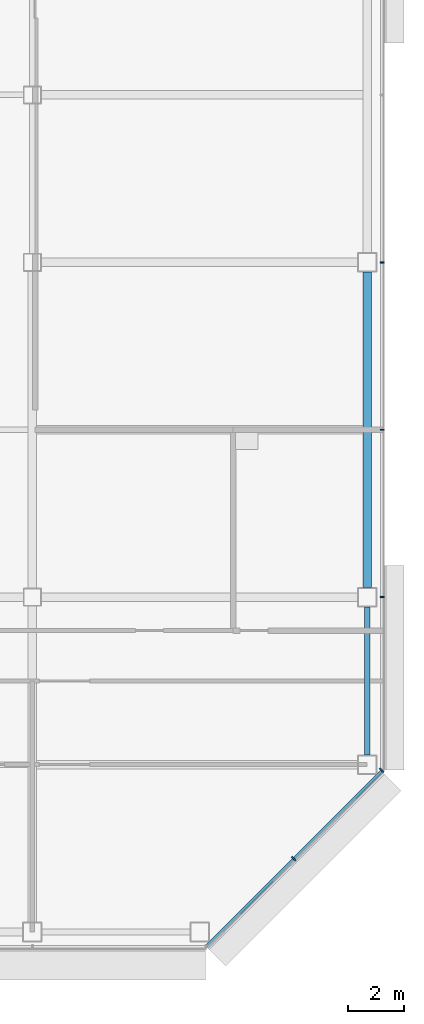
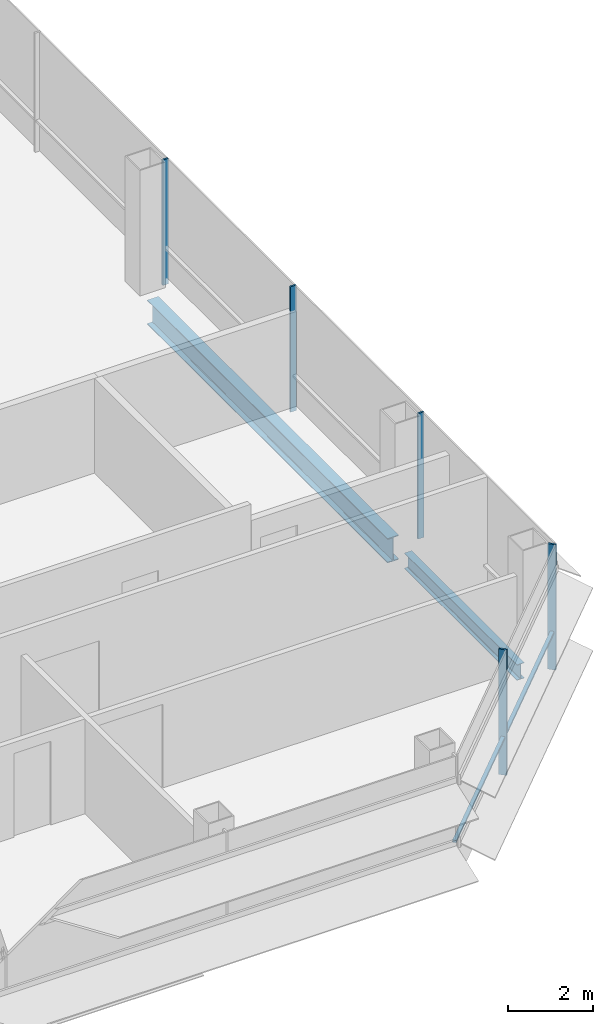
# One storey, part 15 of 24: 6 members, 2 beams, 2 elements without a shape of their own.
"""IFC4 building model written with IfcOpenShell, lengths in metres."""

from ifc_helpers import new_model, si_unit, direction, frame, origin, origin_2d, place, context, subcontext, project, spatial, rectangle, i_section, extrude, material, material_profile, profile_set, type_object, element, aggregate, save


model = new_model("IFC4")

# Units and contexts
model_context = context("Model", 3, precision=1e-05, world=origin(), true_north=direction((0.0, 1.0)))
body_context = subcontext(model_context, "Body", "Model", "MODEL_VIEW")
ifc_project = project(units=[si_unit("LENGTHUNIT", "METRE"), si_unit("AREAUNIT", "SQUARE_METRE"), si_unit("VOLUMEUNIT", "CUBIC_METRE"), si_unit("PLANEANGLEUNIT", "RADIAN"), si_unit("MASSUNIT", "GRAM", prefix="KILO")], contexts=[model_context])

# Site, building, storey
site_placement = place(None, origin())
site = spatial("IfcSite", under=ifc_project, at=site_placement, CompositionType="ELEMENT")
building_placement = place(site_placement, origin())
building = spatial("IfcBuilding", under=site, at=building_placement, Name="Sorahane Residences", CompositionType="ELEMENT")
storey_placement = place(building_placement, frame((0.0, 0.0, 170.800048828125)))
storey = spatial("IfcBuildingStorey", under=building, at=storey_placement, Name="L39", CompositionType="ELEMENT", Elevation=170.800048828125)

# Curtain wall, members
ifc_material_1 = material(Name="Dark low-e glass and black anodised aluminium", Category="aluminium")
curtain_wall_type_1 = type_object("IfcCurtainWallType", Name="Curtain wall CW-1 Typical unitised wall", PredefinedType="NOTDEFINED", material=ifc_material_1)
curtain_wall_1_placement = place(storey_placement, origin())
curtain_wall_1 = element("IfcCurtainWall", 1, at=curtain_wall_1_placement, inside=storey, type_object=curtain_wall_type_1, Name="CW-1 curtain wall L39 E1", PredefinedType="NOTDEFINED")
ifc_material_2 = material(Name="Black anodised aluminium", Category="aluminium")
ifc_material_profile_1 = material_profile(ifc_material_2, rectangle(XDim=0.159912109375, YDim=0.050048828125, at=origin_2d()), Name="Curtain wall mullion CW-1 black anodised aluminium 50x160")
ifc_profile_set_1 = profile_set([ifc_material_profile_1], Name="Black anodised aluminium")
member_type_1 = type_object("IfcMemberType", Name="Curtain wall mullion CW-1 black anodised aluminium 50x160", PredefinedType="MULLION", material=ifc_profile_set_1)
member_1_placement = place(storey_placement, frame((60.5400390625, 12.0, -0.179931640625), z_axis=(0.0, 0.0, 1.0), x_axis=(1.0, 0.0, 0.0)))
member_1 = element("IfcMember", 2, at=member_1_placement, type_object=member_type_1, Name="CW-1 mullion L39 E1.2", PredefinedType="MULLION", context=body_context, shape_type="SweptSolid", body=[
    extrude(rectangle(XDim=0.159912109375, YDim=0.050048828125, at=origin_2d()), origin(), (0.0, 0.0, 1.0), 3.599853515625),
])
member_2_placement = place(storey_placement, frame((60.5400390625, 18.0, -0.179931640625), z_axis=(0.0, 0.0, 1.0), x_axis=(1.0, 0.0, 0.0)))
member_2 = element("IfcMember", 3, at=member_2_placement, type_object=member_type_1, Name="CW-1 mullion L39 E1.3", PredefinedType="MULLION", context=body_context, shape_type="SweptSolid", body=[
    extrude(rectangle(XDim=0.159912109375, YDim=0.050048828125, at=origin_2d()), origin(), (0.0, 0.0, 1.0), 3.599853515625),
])
member_3_placement = place(storey_placement, frame((60.5400390625, 24.0, -0.179931640625), z_axis=(0.0, 0.0, 1.0), x_axis=(1.0, 0.0, 0.0)))
member_3 = element("IfcMember", 4, at=member_3_placement, type_object=member_type_1, Name="CW-1 mullion L39 E1.4", PredefinedType="MULLION", context=body_context, shape_type="SweptSolid", body=[
    extrude(rectangle(XDim=0.159912109375, YDim=0.050048828125, at=origin_2d()), origin(), (0.0, 0.0, 1.0), 3.599853515625),
])
aggregate(curtain_wall_1, [member_1, member_2, member_3])

ifc_material_3 = material(Name="Dark low-e glass and black anodised aluminium", Category="aluminium")
curtain_wall_type_2 = type_object("IfcCurtainWallType", Name="Curtain wall CW-2 Chamfer unitised wall", PredefinedType="NOTDEFINED", material=ifc_material_3)
curtain_wall_2_placement = place(storey_placement, origin())
curtain_wall_2 = element("IfcCurtainWall", 5, at=curtain_wall_2_placement, inside=storey, type_object=curtain_wall_type_2, Name="CW-2 curtain wall L39 SE1", PredefinedType="NOTDEFINED")
ifc_material_4 = material(Name="Black anodised aluminium", Category="aluminium")
ifc_material_profile_2 = material_profile(ifc_material_4, rectangle(XDim=0.199951171875, YDim=0.050048828125, at=origin_2d()), Name="Curtain wall mullion CW-2 black anodised aluminium 50x200")
ifc_profile_set_2 = profile_set([ifc_material_profile_2], Name="Black anodised aluminium")
member_type_2 = type_object("IfcMemberType", Name="Curtain wall mullion CW-2 black anodised aluminium 50x200", PredefinedType="MULLION", material=ifc_profile_set_2)
member_4_placement = place(storey_placement, frame((57.36767578125, 2.63232421875, -0.179931640625), z_axis=(0.0, 0.0, 1.0), x_axis=(0.707106781187, -0.707106781187, 0.0)))
member_4 = element("IfcMember", 6, at=member_4_placement, type_object=member_type_2, Name="CW-2 mullion L39 SE1.2", PredefinedType="MULLION", context=body_context, shape_type="SweptSolid", body=[
    extrude(rectangle(XDim=0.199951171875, YDim=0.050048828125, at=origin_2d()), origin(), (0.0, 0.0, 1.0), 3.599853515625),
])
member_5_placement = place(storey_placement, frame((60.525634765625, 5.790283203125, -0.179931640625), z_axis=(0.0, 0.0, 1.0), x_axis=(0.707106781187, -0.707106781187, 0.0)))
member_5 = element("IfcMember", 7, at=member_5_placement, type_object=member_type_2, Name="CW-2 mullion L39 SE1.3", PredefinedType="MULLION", context=body_context, shape_type="SweptSolid", body=[
    extrude(rectangle(XDim=0.199951171875, YDim=0.050048828125, at=origin_2d()), origin(), (0.0, 0.0, 1.0), 3.599853515625),
])
ifc_material_5 = material(Name="Black anodised aluminium", Category="aluminium")
ifc_material_profile_3 = material_profile(ifc_material_5, rectangle(XDim=0.10009765625, YDim=0.06005859375, at=origin_2d()), Name="Curtain wall transom CW-2 black anodised aluminium 60x100")
ifc_profile_set_3 = profile_set([ifc_material_profile_3], Name="Black anodised aluminium")
member_type_3 = type_object("IfcMemberType", Name="Curtain wall transom CW-2 black anodised aluminium 60x100", PredefinedType="USERDEFINED", material=ifc_profile_set_3)
member_6_placement = place(storey_placement, frame((54.234375, -0.51513671875, 0.89990234375), z_axis=(0.707106781187, 0.707106781187, 0.0), x_axis=(-0.707106781187, 0.707106781187, 0.0)))
member_6 = element("IfcMember", 8, at=member_6_placement, type_object=member_type_3, Name="CW-2 transom L39 SE1", ObjectType="TRANSOM", PredefinedType="USERDEFINED", context=body_context, shape_type="SweptSolid", body=[
    extrude(rectangle(XDim=0.10009765625, YDim=0.06005859375, at=origin_2d()), origin(), (0.0, 0.0, 1.0), 8.88232421875),
])
aggregate(curtain_wall_2, [member_4, member_5, member_6])

# Beams
ifc_material_6 = material(Name="Steel Q355B", Category="steel")
ifc_material_profile_4 = material_profile(ifc_material_6, i_section(OverallWidth=0.199951171875, OverallDepth=0.449951171875, WebThickness=0.009033203125, FlangeThickness=0.013916015625, FilletRadius=0.02001953125, at=origin_2d()), Name="HN 450x200x9x14")
ifc_profile_set_4 = profile_set([ifc_material_profile_4], Name="Steel Q355B")
beam_type_1 = type_object("IfcBeamType", Name="Steel floor beam HN 450x200x9x14 Q355B", PredefinedType="BEAM", material=ifc_profile_set_4)
beam_1_placement = place(storey_placement, frame((60.0, 6.35009765625, -0.405029296875), z_axis=(0.0, 1.0, 0.0), x_axis=(-1.0, 0.0, 0.0)))
element("IfcBeam", 9, at=beam_1_placement, inside=storey, type_object=beam_type_1, Name="Beam L39 064", PredefinedType="BEAM", context=body_context, shape_type="SweptSolid", body=[
    extrude(i_section(OverallWidth=0.199951171875, OverallDepth=0.449951171875, WebThickness=0.009033203125, FlangeThickness=0.013916015625, FilletRadius=0.02001953125, at=origin_2d()), origin(), (0.0, 0.0, 1.0), 5.2998046875),
])
ifc_material_7 = material(Name="Steel Q355B", Category="steel")
ifc_material_profile_5 = material_profile(ifc_material_7, i_section(OverallWidth=0.300048828125, OverallDepth=0.699951171875, WebThickness=0.012939453125, FlangeThickness=0.02392578125, FilletRadius=0.028076171875, at=origin_2d()), Name="HN 700x300x13x24")
ifc_profile_set_5 = profile_set([ifc_material_profile_5], Name="Steel Q355B")
beam_type_2 = type_object("IfcBeamType", Name="Steel floor beam HN 700x300x13x24 Q355B", PredefinedType="BEAM", material=ifc_profile_set_5)
beam_2_placement = place(storey_placement, frame((60.0, 12.35009765625, -0.530029296875), z_axis=(0.0, 1.0, 0.0), x_axis=(-1.0, 0.0, 0.0)))
element("IfcBeam", 10, at=beam_2_placement, inside=storey, type_object=beam_type_2, Name="Beam L39 065", PredefinedType="BEAM", context=body_context, shape_type="SweptSolid", body=[
    extrude(i_section(OverallWidth=0.300048828125, OverallDepth=0.699951171875, WebThickness=0.012939453125, FlangeThickness=0.02392578125, FilletRadius=0.028076171875, at=origin_2d()), origin(), (0.0, 0.0, 1.0), 11.2998046875),
])

save(model, "model.ifc")
